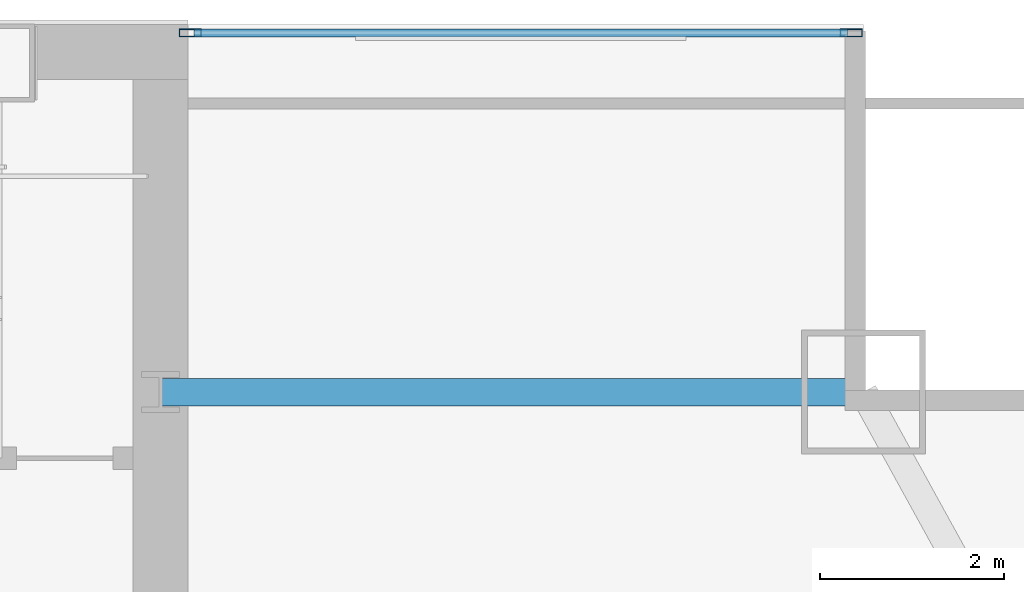
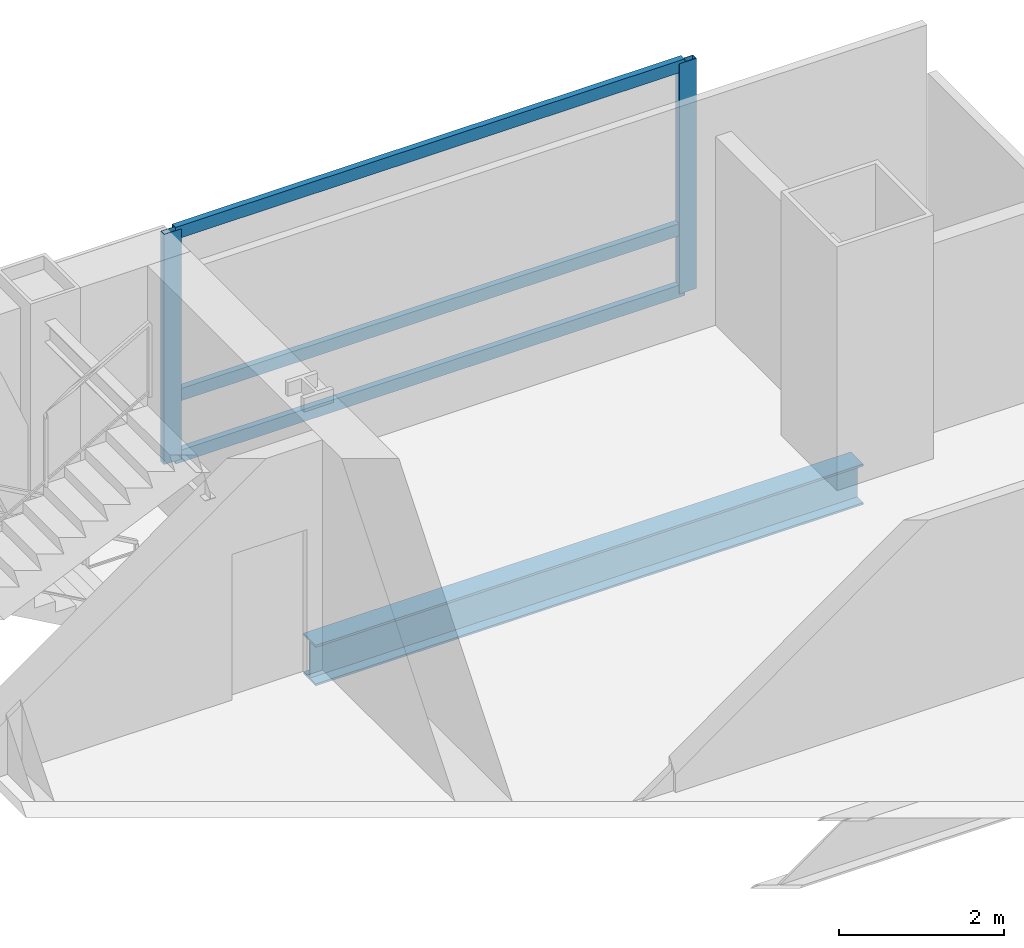
# One storey, part 20 of 29: 5 members, 1 beam, 1 element without a shape of its own.
"""IFC4 building model written with IfcOpenShell, lengths in metres."""

from ifc_helpers import new_model, si_unit, direction, frame, origin, origin_2d, place, context, subcontext, project, spatial, hollow_rectangle, i_section, extrude, material, material_profile, profile_set, type_object, element, aggregate, save


model = new_model("IFC4")

# Units and contexts
model_context = context("Model", 3, precision=1e-05, world=origin(), true_north=direction((0.0, 1.0)))
body_context = subcontext(model_context, "Body", "Model", "MODEL_VIEW")
ifc_project = project(units=[si_unit("LENGTHUNIT", "METRE"), si_unit("AREAUNIT", "SQUARE_METRE"), si_unit("VOLUMEUNIT", "CUBIC_METRE"), si_unit("PLANEANGLEUNIT", "RADIAN"), si_unit("MASSUNIT", "GRAM", prefix="KILO")], contexts=[model_context])

# Site, building, storey
site_placement = place(None, origin())
site = spatial("IfcSite", under=ifc_project, at=site_placement, CompositionType="ELEMENT")
building_placement = place(site_placement, origin())
building = spatial("IfcBuilding", under=site, at=building_placement, Name="Khoronbel Lancet Exchange", CompositionType="ELEMENT")
storey_placement = place(building_placement, frame((0.0, 0.0, 180.60009765625)))
storey = spatial("IfcBuildingStorey", under=building, at=storey_placement, Name="L45", CompositionType="ELEMENT", Elevation=180.60009765625)

# Beam
ifc_material_1 = material(Name="Steel S355", Category="steel")
ifc_material_profile_1 = material_profile(ifc_material_1, i_section(OverallWidth=0.300048828125, OverallDepth=0.60009765625, WebThickness=0.015380859375, FlangeThickness=0.030029296875, at=origin_2d()), Name="HEB 600")
ifc_profile_set_1 = profile_set([ifc_material_profile_1], Name="Steel S355")
beam_type = type_object("IfcBeamType", Name="BM-BSP2", PredefinedType="SPANDREL", material=ifc_profile_set_1)
beam_placement = place(storey_placement, frame((64.050048828125, 49.699951171875, -0.460205078125), z_axis=(-1.0, 0.0, 0.0), x_axis=(0.0, -1.0, 0.0)))
element("IfcBeam", 1, at=beam_placement, inside=storey, type_object=beam_type, Name="Level L45 north flank tie spandrel SP23", PredefinedType="SPANDREL", context=body_context, shape_type="SweptSolid", body=[
    extrude(i_section(OverallWidth=0.300048828125, OverallDepth=0.60009765625, WebThickness=0.015380859375, FlangeThickness=0.030029296875, at=origin_2d()), origin(), (0.0, 0.0, 1.0), 7.650146484375),
])

# Curtain wall, members
ifc_material_2 = material(Name="Low-E Solar Control Insulating Glass", Category="glass")
curtain_wall_type = type_object("IfcCurtainWallType", Name="CW-3", PredefinedType="NOTDEFINED", material=ifc_material_2)
curtain_wall_placement = place(storey_placement, origin())
curtain_wall = element("IfcCurtainWall", 2, at=curtain_wall_placement, inside=storey, type_object=curtain_wall_type, Name="Unitised curtain wall CW-L45-NEFLK", PredefinedType="NOTDEFINED")
ifc_material_3 = material(Name="Bronze-Anodised Aluminium 6063-T6", Category="aluminium")
ifc_material_profile_2 = material_profile(ifc_material_3, hollow_rectangle(XDim=0.0849609375, YDim=0.239990234375, WallThickness=0.006103515625, at=origin_2d()), Name="ALU MULLION 85x240")
ifc_profile_set_2 = profile_set([ifc_material_profile_2], Name="Bronze-Anodised Aluminium 6063-T6")
member_type_1 = type_object("IfcMemberType", Name="MEM-CWM1", PredefinedType="MULLION", material=ifc_profile_set_2)
member_1_placement = place(storey_placement, frame((63.91748046875, 53.610107421875, 0.0), z_axis=(0.0, 0.0, 1.0), x_axis=(0.0, -1.0, 0.0)))
member_1 = element("IfcMember", 3, at=member_1_placement, type_object=member_type_1, Name="CW3 mullion 1", PredefinedType="MULLION", context=body_context, shape_type="SweptSolid", body=[
    extrude(hollow_rectangle(XDim=0.0849609375, YDim=0.239990234375, WallThickness=0.006103515625, at=origin_2d()), origin(), (0.0, 0.0, 1.0), 3.39990234375),
])
member_2_placement = place(storey_placement, frame((56.722412109375, 53.610107421875, 0.0), z_axis=(0.0, 0.0, 1.0), x_axis=(0.0, -1.0, 0.0)))
member_2 = element("IfcMember", 4, at=member_2_placement, type_object=member_type_1, Name="CW3 mullion 2", PredefinedType="MULLION", context=body_context, shape_type="SweptSolid", body=[
    extrude(hollow_rectangle(XDim=0.0849609375, YDim=0.239990234375, WallThickness=0.006103515625, at=origin_2d()), origin(), (0.0, 0.0, 1.0), 3.39990234375),
])
ifc_material_profile_3 = material_profile(ifc_material_3, hollow_rectangle(XDim=0.0849609375, YDim=0.179931640625, WallThickness=0.0048828125, at=origin_2d()), Name="ALU TRANSOM 85x180")
ifc_profile_set_3 = profile_set([ifc_material_profile_3], Name="Bronze-Anodised Aluminium 6063-T6")
member_type_2 = type_object("IfcMemberType", Name="MEM-CWT1", PredefinedType="USERDEFINED", material=ifc_profile_set_3)
member_3_placement = place(storey_placement, frame((63.875, 53.610107421875, 0.04248046875), z_axis=(-1.0, 0.0, 0.0), x_axis=(0.0, -1.0, 0.0)))
member_3 = element("IfcMember", 5, at=member_3_placement, type_object=member_type_2, Name="CW3 transom 1.1", ObjectType="TRANSOM", PredefinedType="USERDEFINED", context=body_context, shape_type="SweptSolid", body=[
    extrude(hollow_rectangle(XDim=0.0849609375, YDim=0.179931640625, WallThickness=0.0048828125, at=origin_2d()), origin(), (0.0, 0.0, 1.0), 7.110107421875),
])
member_4_placement = place(storey_placement, frame((63.875, 53.610107421875, 0.949951171875), z_axis=(-1.0, 0.0, 0.0), x_axis=(0.0, -1.0, 0.0)))
member_4 = element("IfcMember", 6, at=member_4_placement, type_object=member_type_2, Name="CW3 transom 1.2", ObjectType="TRANSOM", PredefinedType="USERDEFINED", context=body_context, shape_type="SweptSolid", body=[
    extrude(hollow_rectangle(XDim=0.0849609375, YDim=0.179931640625, WallThickness=0.0048828125, at=origin_2d()), origin(), (0.0, 0.0, 1.0), 7.110107421875),
])
member_5_placement = place(storey_placement, frame((63.875, 53.610107421875, 3.357421875), z_axis=(-1.0, 0.0, 0.0), x_axis=(0.0, -1.0, 0.0)))
member_5 = element("IfcMember", 7, at=member_5_placement, type_object=member_type_2, Name="CW3 transom 1.3", ObjectType="TRANSOM", PredefinedType="USERDEFINED", context=body_context, shape_type="SweptSolid", body=[
    extrude(hollow_rectangle(XDim=0.0849609375, YDim=0.179931640625, WallThickness=0.0048828125, at=origin_2d()), origin(), (0.0, 0.0, 1.0), 7.110107421875),
])
aggregate(curtain_wall, [member_1, member_2, member_3, member_4, member_5])

save(model, "model.ifc")
